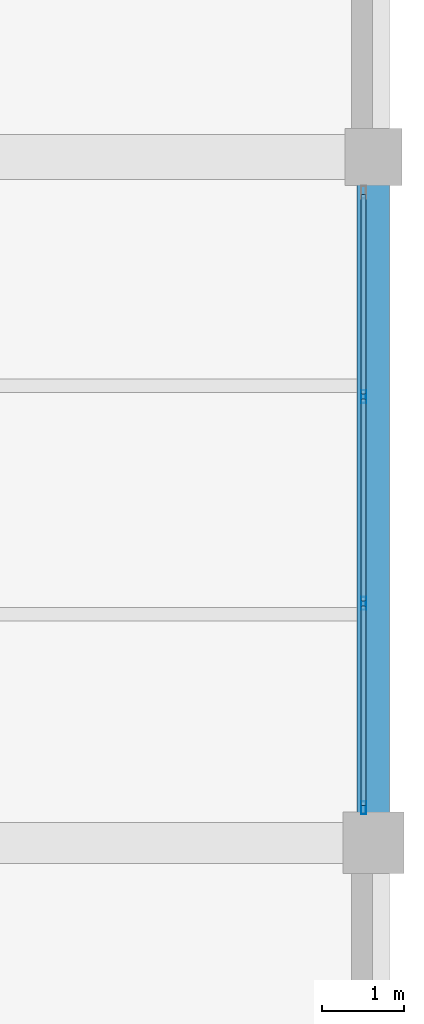
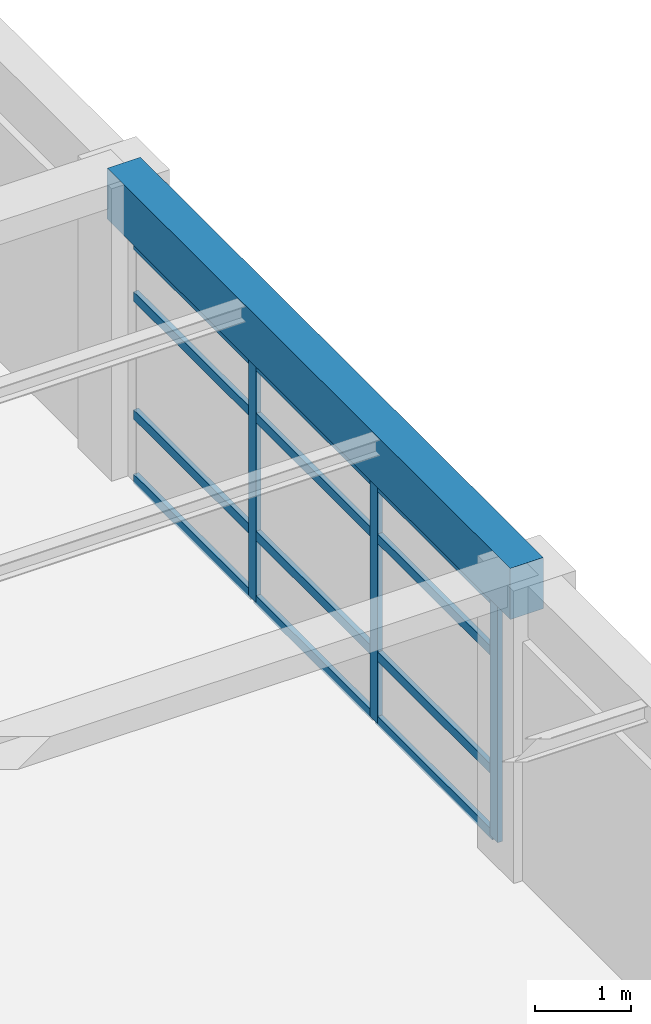
# One storey, part 12 of 26: 15 members, 1 beam, 1 element without a shape of its own.
"""IFC4 building model written with IfcOpenShell, lengths in metres."""

from ifc_helpers import new_model, si_unit, direction, frame, origin, origin_2d, place, context, subcontext, project, spatial, rectangle, hollow_rectangle, extrude, material, material_profile, profile_set, type_object, element, aggregate, save


model = new_model("IFC4")

# Units and contexts
model_context = context("Model", 3, precision=1e-05, world=origin(), true_north=direction((0.0, 1.0)))
body_context = subcontext(model_context, "Body", "Model", "MODEL_VIEW")
ifc_project = project(units=[si_unit("LENGTHUNIT", "METRE"), si_unit("AREAUNIT", "SQUARE_METRE"), si_unit("VOLUMEUNIT", "CUBIC_METRE"), si_unit("PLANEANGLEUNIT", "RADIAN"), si_unit("MASSUNIT", "GRAM", prefix="KILO")], contexts=[model_context])

# Site, building, storey
site_placement = place(None, origin())
site = spatial("IfcSite", under=ifc_project, at=site_placement, CompositionType="ELEMENT")
building_placement = place(site_placement, origin())
building = spatial("IfcBuilding", under=site, at=building_placement, Name="Almacenes y Pasaje Nevantli", CompositionType="ELEMENT")
storey_placement = place(building_placement, frame((0.0, 0.0, 38.699951171875)))
storey = spatial("IfcBuildingStorey", under=building, at=storey_placement, Name="L09", CompositionType="ELEMENT", Elevation=38.699951171875)

# Beam
ifc_material_1 = material(Name="Concrete C35/45", Category="concrete")
ifc_material_profile_1 = material_profile(ifc_material_1, rectangle(XDim=0.39990234375, YDim=0.64990234375, at=origin_2d()), Name="RC-BM-400x650")
ifc_profile_set_1 = profile_set([ifc_material_profile_1], Name="Concrete C35/45")
beam_type = type_object("IfcBeamType", Name="BM-RC-400x650", PredefinedType="SPANDREL", material=ifc_profile_set_1)
beam_placement = place(storey_placement, frame((159.60009765625, 75.60009765625, 3.39501953125), z_axis=(0.0, 1.0, 0.0), x_axis=(-1.0, 0.0, 0.0)))
element("IfcBeam", 1, at=beam_placement, inside=storey, type_object=beam_type, Name="L09 North-South Reinforced Concrete Beam #3794", PredefinedType="SPANDREL", context=body_context, shape_type="SweptSolid", body=[
    extrude(rectangle(XDim=0.39990234375, YDim=0.64990234375, at=origin_2d()), origin(), (0.0, 0.0, 1.0), 8.39990234375),
])

# Curtain wall, members
ifc_material_2 = material(Name="Thermally Broken Aluminium and Low-E Glass", Category="aluminium")
curtain_wall_type = type_object("IfcCurtainWallType", Name="CW-UNIT-TOWER", PredefinedType="USERDEFINED", material=ifc_material_2)
curtain_wall_placement = place(storey_placement, origin())
curtain_wall = element("IfcCurtainWall", 2, at=curtain_wall_placement, inside=storey, type_object=curtain_wall_type, Name="L09 Tower East Curtain Wall Bay 10", ObjectType="UNITIZED CURTAIN WALL", PredefinedType="USERDEFINED")
ifc_material_3 = material(Name="Thermally Broken Anodized Aluminium", Category="aluminium")
ifc_material_profile_2 = material_profile(ifc_material_3, hollow_rectangle(XDim=0.06005859375, YDim=0.159912109375, WallThickness=0.00390625, at=origin_2d()), Name="ALU-MUL-60x160")
ifc_profile_set_2 = profile_set([ifc_material_profile_2], Name="Thermally Broken Anodized Aluminium")
member_type_1 = type_object("IfcMemberType", Name="CW-MUL-180", PredefinedType="MULLION", material=ifc_profile_set_2)
member_1_placement = place(storey_placement, frame((159.47998046875, 76.030029296875, 0.0), z_axis=(0.0, 0.0, 1.0), x_axis=(-1.0, 0.0, 0.0)))
member_1 = element("IfcMember", 3, at=member_1_placement, type_object=member_type_1, Name="CW-L09-138 mullion 1", PredefinedType="MULLION", context=body_context, shape_type="SweptSolid", body=[
    extrude(hollow_rectangle(XDim=0.06005859375, YDim=0.159912109375, WallThickness=0.00390625, at=origin_2d()), origin(), (0.0, 0.0, 1.0), 3.0400390625),
])
member_2_placement = place(storey_placement, frame((159.47998046875, 78.533447265625, 0.0), z_axis=(0.0, 0.0, 1.0), x_axis=(-1.0, 0.0, 0.0)))
member_2 = element("IfcMember", 4, at=member_2_placement, type_object=member_type_1, Name="CW-L09-138 mullion 2", PredefinedType="MULLION", context=body_context, shape_type="SweptSolid", body=[
    extrude(hollow_rectangle(XDim=0.06005859375, YDim=0.159912109375, WallThickness=0.00390625, at=origin_2d()), origin(), (0.0, 0.0, 1.0), 3.0400390625),
])
member_3_placement = place(storey_placement, frame((159.47998046875, 81.066650390625, 0.0), z_axis=(0.0, 0.0, 1.0), x_axis=(-1.0, 0.0, 0.0)))
member_3 = element("IfcMember", 5, at=member_3_placement, type_object=member_type_1, Name="CW-L09-138 mullion 3", PredefinedType="MULLION", context=body_context, shape_type="SweptSolid", body=[
    extrude(hollow_rectangle(XDim=0.06005859375, YDim=0.159912109375, WallThickness=0.00390625, at=origin_2d()), origin(), (0.0, 0.0, 1.0), 3.0400390625),
])
ifc_material_4 = material(Name="Thermally Broken Anodized Aluminium", Category="aluminium")
ifc_material_profile_3 = material_profile(ifc_material_4, hollow_rectangle(XDim=0.06005859375, YDim=0.1201171875, WallThickness=0.00341796875, at=origin_2d()), Name="ALU-TRN-60x120")
ifc_profile_set_3 = profile_set([ifc_material_profile_3], Name="Thermally Broken Anodized Aluminium")
member_type_2 = type_object("IfcMemberType", Name="CW-TRN-130", PredefinedType="USERDEFINED", material=ifc_profile_set_3)
member_4_placement = place(storey_placement, frame((159.47998046875, 76.06005859375, 0.030029296875), z_axis=(0.0, 1.0, 0.0), x_axis=(-1.0, 0.0, 0.0)))
member_4 = element("IfcMember", 6, at=member_4_placement, type_object=member_type_2, Name="CW-L09-138 transom 1.1", ObjectType="TRANSOM", PredefinedType="USERDEFINED", context=body_context, shape_type="SweptSolid", body=[
    extrude(hollow_rectangle(XDim=0.06005859375, YDim=0.1201171875, WallThickness=0.00341796875, at=origin_2d()), origin(), (0.0, 0.0, 1.0), 2.443359375),
])
member_5_placement = place(storey_placement, frame((159.47998046875, 76.06005859375, 0.85009765625), z_axis=(0.0, 1.0, 0.0), x_axis=(-1.0, 0.0, 0.0)))
member_5 = element("IfcMember", 7, at=member_5_placement, type_object=member_type_2, Name="CW-L09-138 transom 1.2", ObjectType="TRANSOM", PredefinedType="USERDEFINED", context=body_context, shape_type="SweptSolid", body=[
    extrude(hollow_rectangle(XDim=0.06005859375, YDim=0.1201171875, WallThickness=0.00341796875, at=origin_2d()), origin(), (0.0, 0.0, 1.0), 2.443359375),
])
member_6_placement = place(storey_placement, frame((159.47998046875, 76.06005859375, 2.35009765625), z_axis=(0.0, 1.0, 0.0), x_axis=(-1.0, 0.0, 0.0)))
member_6 = element("IfcMember", 8, at=member_6_placement, type_object=member_type_2, Name="CW-L09-138 transom 1.3", ObjectType="TRANSOM", PredefinedType="USERDEFINED", context=body_context, shape_type="SweptSolid", body=[
    extrude(hollow_rectangle(XDim=0.06005859375, YDim=0.1201171875, WallThickness=0.00341796875, at=origin_2d()), origin(), (0.0, 0.0, 1.0), 2.443359375),
])
member_7_placement = place(storey_placement, frame((159.47998046875, 76.06005859375, 3.010009765625), z_axis=(0.0, 1.0, 0.0), x_axis=(-1.0, 0.0, 0.0)))
member_7 = element("IfcMember", 9, at=member_7_placement, type_object=member_type_2, Name="CW-L09-138 transom 1.4", ObjectType="TRANSOM", PredefinedType="USERDEFINED", context=body_context, shape_type="SweptSolid", body=[
    extrude(hollow_rectangle(XDim=0.06005859375, YDim=0.1201171875, WallThickness=0.00341796875, at=origin_2d()), origin(), (0.0, 0.0, 1.0), 2.443359375),
])
member_8_placement = place(storey_placement, frame((159.47998046875, 78.563232421875, 0.030029296875), z_axis=(0.0, 1.0, 0.0), x_axis=(-1.0, 0.0, 0.0)))
member_8 = element("IfcMember", 10, at=member_8_placement, type_object=member_type_2, Name="CW-L09-138 transom 2.1", ObjectType="TRANSOM", PredefinedType="USERDEFINED", context=body_context, shape_type="SweptSolid", body=[
    extrude(hollow_rectangle(XDim=0.06005859375, YDim=0.1201171875, WallThickness=0.00341796875, at=origin_2d()), origin(), (0.0, 0.0, 1.0), 2.473388671875),
])
member_9_placement = place(storey_placement, frame((159.47998046875, 78.563232421875, 0.85009765625), z_axis=(0.0, 1.0, 0.0), x_axis=(-1.0, 0.0, 0.0)))
member_9 = element("IfcMember", 11, at=member_9_placement, type_object=member_type_2, Name="CW-L09-138 transom 2.2", ObjectType="TRANSOM", PredefinedType="USERDEFINED", context=body_context, shape_type="SweptSolid", body=[
    extrude(hollow_rectangle(XDim=0.06005859375, YDim=0.1201171875, WallThickness=0.00341796875, at=origin_2d()), origin(), (0.0, 0.0, 1.0), 2.473388671875),
])
member_10_placement = place(storey_placement, frame((159.47998046875, 78.563232421875, 2.35009765625), z_axis=(0.0, 1.0, 0.0), x_axis=(-1.0, 0.0, 0.0)))
member_10 = element("IfcMember", 12, at=member_10_placement, type_object=member_type_2, Name="CW-L09-138 transom 2.3", ObjectType="TRANSOM", PredefinedType="USERDEFINED", context=body_context, shape_type="SweptSolid", body=[
    extrude(hollow_rectangle(XDim=0.06005859375, YDim=0.1201171875, WallThickness=0.00341796875, at=origin_2d()), origin(), (0.0, 0.0, 1.0), 2.473388671875),
])
member_11_placement = place(storey_placement, frame((159.47998046875, 78.563232421875, 3.010009765625), z_axis=(0.0, 1.0, 0.0), x_axis=(-1.0, 0.0, 0.0)))
member_11 = element("IfcMember", 13, at=member_11_placement, type_object=member_type_2, Name="CW-L09-138 transom 2.4", ObjectType="TRANSOM", PredefinedType="USERDEFINED", context=body_context, shape_type="SweptSolid", body=[
    extrude(hollow_rectangle(XDim=0.06005859375, YDim=0.1201171875, WallThickness=0.00341796875, at=origin_2d()), origin(), (0.0, 0.0, 1.0), 2.473388671875),
])
member_12_placement = place(storey_placement, frame((159.47998046875, 81.0966796875, 0.030029296875), z_axis=(0.0, 1.0, 0.0), x_axis=(-1.0, 0.0, 0.0)))
member_12 = element("IfcMember", 14, at=member_12_placement, type_object=member_type_2, Name="CW-L09-138 transom 3.1", ObjectType="TRANSOM", PredefinedType="USERDEFINED", context=body_context, shape_type="SweptSolid", body=[
    extrude(hollow_rectangle(XDim=0.06005859375, YDim=0.1201171875, WallThickness=0.00341796875, at=origin_2d()), origin(), (0.0, 0.0, 1.0), 2.443359375),
])
member_13_placement = place(storey_placement, frame((159.47998046875, 81.0966796875, 0.85009765625), z_axis=(0.0, 1.0, 0.0), x_axis=(-1.0, 0.0, 0.0)))
member_13 = element("IfcMember", 15, at=member_13_placement, type_object=member_type_2, Name="CW-L09-138 transom 3.2", ObjectType="TRANSOM", PredefinedType="USERDEFINED", context=body_context, shape_type="SweptSolid", body=[
    extrude(hollow_rectangle(XDim=0.06005859375, YDim=0.1201171875, WallThickness=0.00341796875, at=origin_2d()), origin(), (0.0, 0.0, 1.0), 2.443359375),
])
member_14_placement = place(storey_placement, frame((159.47998046875, 81.0966796875, 2.35009765625), z_axis=(0.0, 1.0, 0.0), x_axis=(-1.0, 0.0, 0.0)))
member_14 = element("IfcMember", 16, at=member_14_placement, type_object=member_type_2, Name="CW-L09-138 transom 3.3", ObjectType="TRANSOM", PredefinedType="USERDEFINED", context=body_context, shape_type="SweptSolid", body=[
    extrude(hollow_rectangle(XDim=0.06005859375, YDim=0.1201171875, WallThickness=0.00341796875, at=origin_2d()), origin(), (0.0, 0.0, 1.0), 2.443359375),
])
member_15_placement = place(storey_placement, frame((159.47998046875, 81.0966796875, 3.010009765625), z_axis=(0.0, 1.0, 0.0), x_axis=(-1.0, 0.0, 0.0)))
member_15 = element("IfcMember", 17, at=member_15_placement, type_object=member_type_2, Name="CW-L09-138 transom 3.4", ObjectType="TRANSOM", PredefinedType="USERDEFINED", context=body_context, shape_type="SweptSolid", body=[
    extrude(hollow_rectangle(XDim=0.06005859375, YDim=0.1201171875, WallThickness=0.00341796875, at=origin_2d()), origin(), (0.0, 0.0, 1.0), 2.443359375),
])
aggregate(curtain_wall, [member_1, member_2, member_3, member_4, member_5, member_6, member_7, member_8, member_9, member_10, member_11, member_12, member_13, member_14, member_15])

save(model, "model.ifc")
